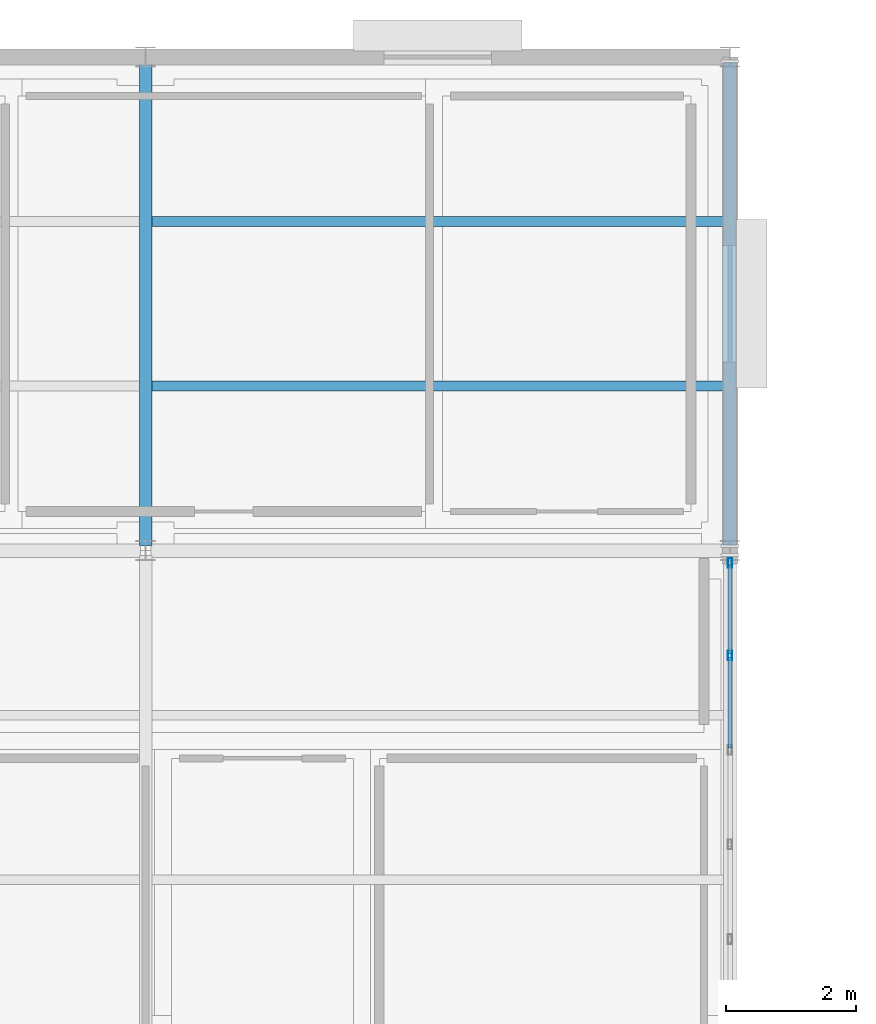
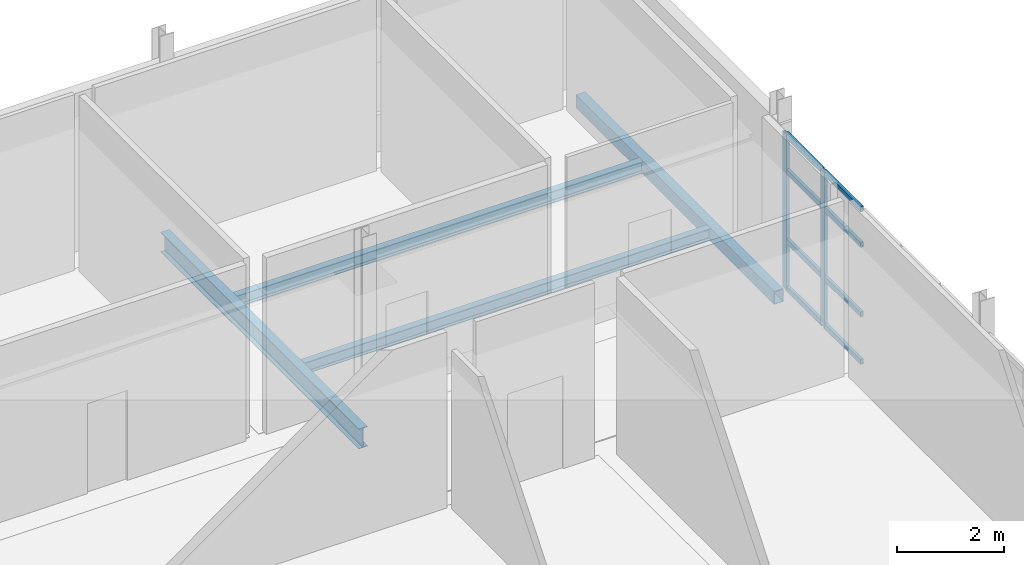
# One storey, part 121 of 166: 10 members, 4 beams, 1 element without a shape of its own.
"""IFC4 building model written with IfcOpenShell, lengths in metres."""

from ifc_helpers import new_model, si_unit, direction, frame, origin, origin_2d, place, context, subcontext, project, spatial, hollow_rectangle, i_section, extrude, material, material_profile, profile_set, type_object, element, aggregate, save


model = new_model("IFC4")

# Units and contexts
model_context = context("Model", 3, precision=1e-05, world=origin(), true_north=direction((0.0, 1.0)))
body_context = subcontext(model_context, "Body", "Model", "MODEL_VIEW")
ifc_project = project(units=[si_unit("LENGTHUNIT", "METRE"), si_unit("AREAUNIT", "SQUARE_METRE"), si_unit("VOLUMEUNIT", "CUBIC_METRE"), si_unit("PLANEANGLEUNIT", "RADIAN"), si_unit("MASSUNIT", "GRAM", prefix="KILO")], contexts=[model_context])

# Site, building, storey
site_placement = place(None, origin())
site = spatial("IfcSite", under=ifc_project, at=site_placement, CompositionType="ELEMENT")
building_placement = place(site_placement, origin())
building = spatial("IfcBuilding", under=site, at=building_placement, Name="Caisbarro Railhouse Central Library", CompositionType="ELEMENT")
storey_placement = place(building_placement, frame((0.0, 0.0, 9.360107421875)))
storey = spatial("IfcBuildingStorey", under=building, at=storey_placement, Name="L02", CompositionType="ELEMENT", Elevation=9.360107421875)

# Beams
ifc_material_1 = material(Name="Steel ASTM A572 Grade 50", Category="steel")
ifc_material_profile_1 = material_profile(ifc_material_1, i_section(OverallWidth=0.18994140625, OverallDepth=0.45703125, WebThickness=0.009033203125, FlangeThickness=0.014404296875, FilletRadius=0.01806640625, at=origin_2d()), Name="W460X74.0")
ifc_profile_set_1 = profile_set([ifc_material_profile_1], Name="Steel ASTM A572 Grade 50")
beam_type_1 = type_object("IfcBeamType", Name="BM-G08", PredefinedType="BEAM", material=ifc_profile_set_1)
beam_1_placement = place(storey_placement, frame((144.0, 106.47998046875, -0.448486328125), z_axis=(0.0, 1.0, 0.0), x_axis=(-1.0, 0.0, 0.0)))
element("IfcBeam", 1, at=beam_1_placement, inside=storey, type_object=beam_type_1, Name="G08 beam L02 #1531", PredefinedType="BEAM", context=body_context, shape_type="SweptSolid", body=[
    extrude(i_section(OverallWidth=0.18994140625, OverallDepth=0.45703125, WebThickness=0.009033203125, FlangeThickness=0.014404296875, FilletRadius=0.01806640625, at=origin_2d()), origin(), (0.0, 0.0, 1.0), 7.43994140625),
])
ifc_material_profile_2 = material_profile(ifc_material_1, i_section(OverallWidth=0.14794921875, OverallDepth=0.26611328125, WebThickness=0.007568359375, FlangeThickness=0.012939453125, FilletRadius=0.010009765625, at=origin_2d()), Name="W250X44.8")
ifc_profile_set_2 = profile_set([ifc_material_profile_2], Name="Steel ASTM A572 Grade 50")
beam_type_2 = type_object("IfcBeamType", Name="BM-J04", PredefinedType="JOIST", material=ifc_profile_set_2)
for number, where, z_axis, x_axis, name in (
    (2, (144.094970703125, 108.933349609375, -0.35302734375), (1.0, 0.0, 0.0), (0.0, 1.0, 0.0), "J04 beam L02 #1581"),
    (3, (144.094970703125, 111.466796875, -0.35302734375), (1.0, 0.0, 0.0), (0.0, 1.0, 0.0), "J04 beam L02 #1582"),
):
    element("IfcBeam", number, at=place(storey_placement, frame(where, z_axis=z_axis, x_axis=x_axis)), inside=storey, type_object=beam_type_2, Name=name, PredefinedType="JOIST", context=body_context, shape_type="SweptSolid", body=[
        extrude(i_section(OverallWidth=0.14794921875, OverallDepth=0.26611328125, WebThickness=0.007568359375, FlangeThickness=0.012939453125, FilletRadius=0.010009765625, at=origin_2d()), origin(), (0.0, 0.0, 1.0), 8.804931640625),
    ])
ifc_material_profile_3 = material_profile(ifc_material_1, hollow_rectangle(XDim=0.199951171875, YDim=0.300048828125, WallThickness=0.012451171875, at=origin_2d()), Name="HSS300X200X12.5")
ifc_profile_set_3 = profile_set([ifc_material_profile_3], Name="Steel ASTM A572 Grade 50")
beam_type_3 = type_object("IfcBeamType", Name="BM-SP02", PredefinedType="SPANDREL", material=ifc_profile_set_3)
beam_2_placement = place(storey_placement, frame((153.0, 106.47998046875, -0.3701171875), z_axis=(0.0, 1.0, 0.0), x_axis=(-1.0, 0.0, 0.0)))
element("IfcBeam", 4, at=beam_2_placement, inside=storey, type_object=beam_type_3, Name="SP02 beam L02 #1538", PredefinedType="SPANDREL", context=body_context, shape_type="SweptSolid", body=[
    extrude(hollow_rectangle(XDim=0.199951171875, YDim=0.300048828125, WallThickness=0.012451171875, at=origin_2d()), origin(), (0.0, 0.0, 1.0), 7.43994140625),
])

# Curtain wall, members
ifc_material_2 = material(Name="Anodised architectural aluminium", Category="aluminium")
curtain_wall_type = type_object("IfcCurtainWallType", Name="CW-CW03", PredefinedType="NOTDEFINED", material=ifc_material_2)
curtain_wall_placement = place(storey_placement, origin())
curtain_wall = element("IfcCurtainWall", 5, at=curtain_wall_placement, inside=storey, type_object=curtain_wall_type, Name="CW03 curtain wall L02 #141", PredefinedType="NOTDEFINED")
ifc_material_profile_4 = material_profile(ifc_material_2, hollow_rectangle(XDim=0.06494140625, YDim=0.14990234375, WallThickness=0.00390625, at=origin_2d()), Name="ALU-MUL-65X150")
ifc_profile_set_4 = profile_set([ifc_material_profile_4], Name="Anodised architectural aluminium")
member_type_1 = type_object("IfcMemberType", Name="CWM-M02", PredefinedType="MULLION", material=ifc_profile_set_4)
member_1_placement = place(storey_placement, frame((153.0, 104.783935546875, 0.0), z_axis=(0.0, 0.0, 1.0), x_axis=(-1.0, 0.0, 0.0)))
member_1 = element("IfcMember", 6, at=member_1_placement, type_object=member_type_1, Name="CW03 mullion 5", PredefinedType="MULLION", context=body_context, shape_type="SweptSolid", body=[
    extrude(hollow_rectangle(XDim=0.06494140625, YDim=0.14990234375, WallThickness=0.00390625, at=origin_2d()), origin(), (0.0, 0.0, 1.0), 3.559814453125),
])
member_2_placement = place(storey_placement, frame((153.0, 106.20751953125, 0.0), z_axis=(0.0, 0.0, 1.0), x_axis=(-1.0, 0.0, 0.0)))
member_2 = element("IfcMember", 7, at=member_2_placement, type_object=member_type_1, Name="CW03 mullion 6", PredefinedType="MULLION", context=body_context, shape_type="SweptSolid", body=[
    extrude(hollow_rectangle(XDim=0.06494140625, YDim=0.14990234375, WallThickness=0.00390625, at=origin_2d()), origin(), (0.0, 0.0, 1.0), 3.559814453125),
])
ifc_material_profile_5 = material_profile(ifc_material_2, hollow_rectangle(XDim=0.06494140625, YDim=0.1201171875, WallThickness=0.00341796875, at=origin_2d()), Name="ALU-TRN-65X120")
ifc_profile_set_5 = profile_set([ifc_material_profile_5], Name="Anodised architectural aluminium")
member_type_2 = type_object("IfcMemberType", Name="CWT-T02", PredefinedType="USERDEFINED", material=ifc_profile_set_5)
member_3_placement = place(storey_placement, frame((153.0, 103.360595703125, 0.032470703125), z_axis=(0.0, 1.0, 0.0), x_axis=(-1.0, 0.0, 0.0)))
member_3 = element("IfcMember", 8, at=member_3_placement, type_object=member_type_2, Name="CW03 transom 4.1", ObjectType="TRANSOM", PredefinedType="USERDEFINED", context=body_context, shape_type="SweptSolid", body=[
    extrude(hollow_rectangle(XDim=0.06494140625, YDim=0.1201171875, WallThickness=0.00341796875, at=origin_2d()), origin(), (0.0, 0.0, 1.0), 1.390869140625),
])
member_4_placement = place(storey_placement, frame((153.0, 103.360595703125, 1.119873046875), z_axis=(0.0, 1.0, 0.0), x_axis=(-1.0, 0.0, 0.0)))
member_4 = element("IfcMember", 9, at=member_4_placement, type_object=member_type_2, Name="CW03 transom 4.2", ObjectType="TRANSOM", PredefinedType="USERDEFINED", context=body_context, shape_type="SweptSolid", body=[
    extrude(hollow_rectangle(XDim=0.06494140625, YDim=0.1201171875, WallThickness=0.00341796875, at=origin_2d()), origin(), (0.0, 0.0, 1.0), 1.390869140625),
])
member_5_placement = place(storey_placement, frame((153.0, 103.360595703125, 2.7099609375), z_axis=(0.0, 1.0, 0.0), x_axis=(-1.0, 0.0, 0.0)))
member_5 = element("IfcMember", 10, at=member_5_placement, type_object=member_type_2, Name="CW03 transom 4.3", ObjectType="TRANSOM", PredefinedType="USERDEFINED", context=body_context, shape_type="SweptSolid", body=[
    extrude(hollow_rectangle(XDim=0.06494140625, YDim=0.1201171875, WallThickness=0.00341796875, at=origin_2d()), origin(), (0.0, 0.0, 1.0), 1.390869140625),
])
member_6_placement = place(storey_placement, frame((153.0, 103.360595703125, 3.52734375), z_axis=(0.0, 1.0, 0.0), x_axis=(-1.0, 0.0, 0.0)))
member_6 = element("IfcMember", 11, at=member_6_placement, type_object=member_type_2, Name="CW03 transom 4.4", ObjectType="TRANSOM", PredefinedType="USERDEFINED", context=body_context, shape_type="SweptSolid", body=[
    extrude(hollow_rectangle(XDim=0.06494140625, YDim=0.1201171875, WallThickness=0.00341796875, at=origin_2d()), origin(), (0.0, 0.0, 1.0), 1.390869140625),
])
member_7_placement = place(storey_placement, frame((153.0, 104.81640625, 0.032470703125), z_axis=(0.0, 1.0, 0.0), x_axis=(-1.0, 0.0, 0.0)))
member_7 = element("IfcMember", 12, at=member_7_placement, type_object=member_type_2, Name="CW03 transom 5.1", ObjectType="TRANSOM", PredefinedType="USERDEFINED", context=body_context, shape_type="SweptSolid", body=[
    extrude(hollow_rectangle(XDim=0.06494140625, YDim=0.1201171875, WallThickness=0.00341796875, at=origin_2d()), origin(), (0.0, 0.0, 1.0), 1.358642578125),
])
member_8_placement = place(storey_placement, frame((153.0, 104.81640625, 1.119873046875), z_axis=(0.0, 1.0, 0.0), x_axis=(-1.0, 0.0, 0.0)))
member_8 = element("IfcMember", 13, at=member_8_placement, type_object=member_type_2, Name="CW03 transom 5.2", ObjectType="TRANSOM", PredefinedType="USERDEFINED", context=body_context, shape_type="SweptSolid", body=[
    extrude(hollow_rectangle(XDim=0.06494140625, YDim=0.1201171875, WallThickness=0.00341796875, at=origin_2d()), origin(), (0.0, 0.0, 1.0), 1.358642578125),
])
member_9_placement = place(storey_placement, frame((153.0, 104.81640625, 2.7099609375), z_axis=(0.0, 1.0, 0.0), x_axis=(-1.0, 0.0, 0.0)))
member_9 = element("IfcMember", 14, at=member_9_placement, type_object=member_type_2, Name="CW03 transom 5.3", ObjectType="TRANSOM", PredefinedType="USERDEFINED", context=body_context, shape_type="SweptSolid", body=[
    extrude(hollow_rectangle(XDim=0.06494140625, YDim=0.1201171875, WallThickness=0.00341796875, at=origin_2d()), origin(), (0.0, 0.0, 1.0), 1.358642578125),
])
member_10_placement = place(storey_placement, frame((153.0, 104.81640625, 3.52734375), z_axis=(0.0, 1.0, 0.0), x_axis=(-1.0, 0.0, 0.0)))
member_10 = element("IfcMember", 15, at=member_10_placement, type_object=member_type_2, Name="CW03 transom 5.4", ObjectType="TRANSOM", PredefinedType="USERDEFINED", context=body_context, shape_type="SweptSolid", body=[
    extrude(hollow_rectangle(XDim=0.06494140625, YDim=0.1201171875, WallThickness=0.00341796875, at=origin_2d()), origin(), (0.0, 0.0, 1.0), 1.358642578125),
])
aggregate(curtain_wall, [member_1, member_2, member_3, member_4, member_5, member_6, member_7, member_8, member_9, member_10])

save(model, "model.ifc")
